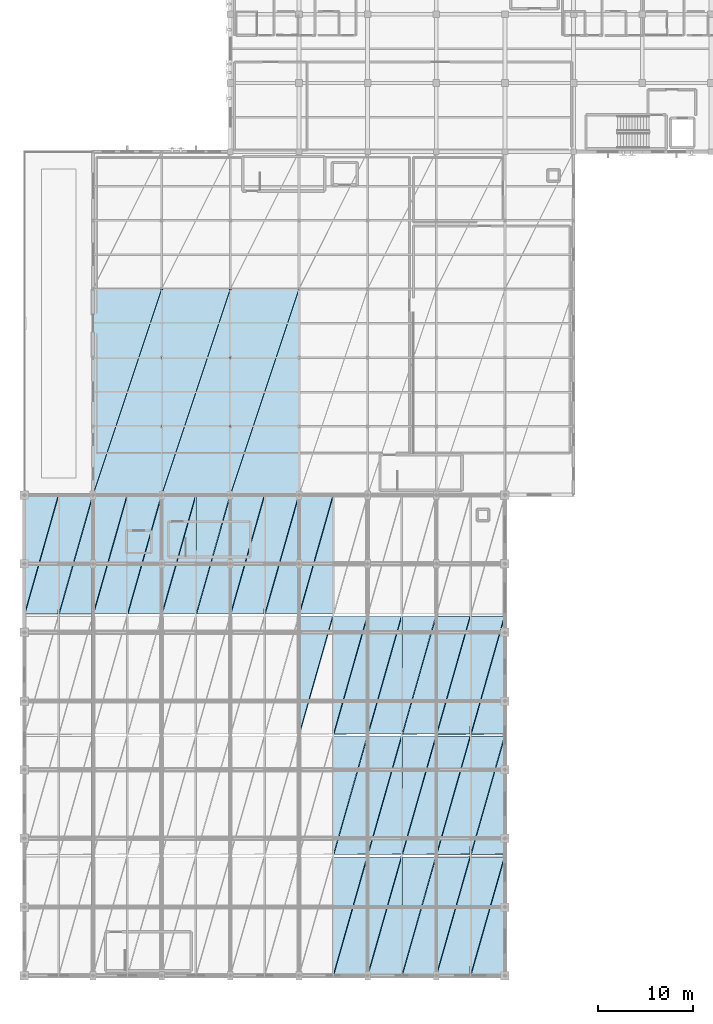
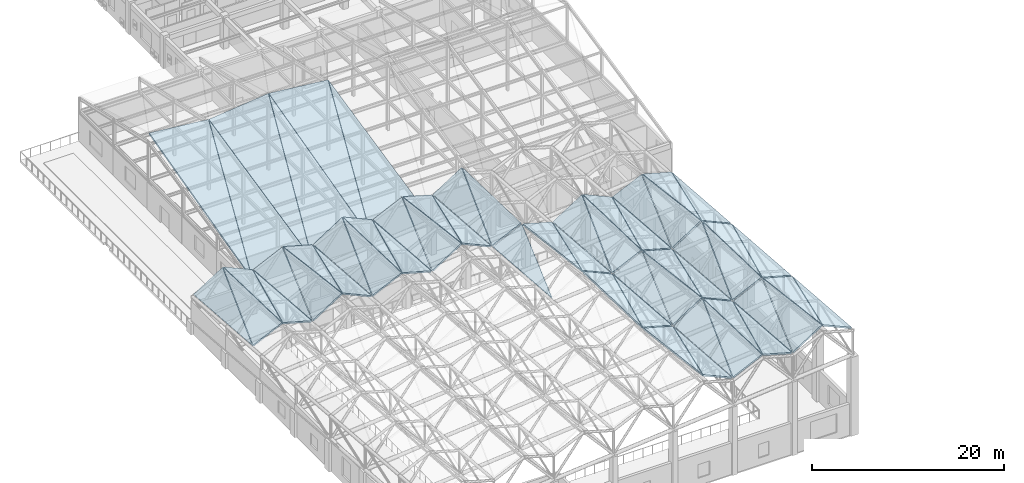
# One storey, part 66 of 113: 55 slabs.
"""IFC4 building model written with IfcOpenShell, lengths in metres."""

from ifc_helpers import new_model, si_unit, direction, frame, origin, place, context, subcontext, project, spatial, polyline, outline, extrude, material, layer, layer_set, type_object, element, save


model = new_model("IFC4")

# Units and contexts
model_context = context("Model", 3, precision=1e-05, world=origin(), true_north=direction((0.0, 1.0)))
body_context = subcontext(model_context, "Body", "Model", "MODEL_VIEW")
ifc_project = project(units=[si_unit("LENGTHUNIT", "METRE"), si_unit("AREAUNIT", "SQUARE_METRE"), si_unit("VOLUMEUNIT", "CUBIC_METRE"), si_unit("PLANEANGLEUNIT", "RADIAN"), si_unit("MASSUNIT", "GRAM", prefix="KILO")], contexts=[model_context])

# Site, building, storey
site_placement = place(None, origin())
site = spatial("IfcSite", under=ifc_project, at=site_placement, CompositionType="ELEMENT")
building_placement = place(site_placement, origin())
building = spatial("IfcBuilding", under=site, at=building_placement, Name="Carrowvane Square Congress Hotel", CompositionType="ELEMENT")
storey_placement = place(building_placement, frame((0.0, 0.0, 15.0)))
storey = spatial("IfcBuildingStorey", under=building, at=storey_placement, Name="L03", CompositionType="ELEMENT", Elevation=15.0)

# Slabs
ifc_material_1 = material(Name="Concrete C35/45", Category="concrete")
ifc_layer_1 = layer(ifc_material_1, 0.179931640625)
ifc_layer_set_1 = layer_set([ifc_layer_1], Name="Concrete C35/45")
slab_type_1 = type_object("IfcSlabType", Name="SLB-ROOF-180", PredefinedType="ROOF", material=ifc_layer_set_1)
slab_1_placement = place(storey_placement, frame((11.671875, 43.325927734375, 5.82958984375), z_axis=(-0.422398728292, 0.028764283915, 0.905953602735), x_axis=(0.90636552621, 0.003488949044, 0.422480011517)))
element("IfcSlab", 1, at=slab_1_placement, inside=storey, type_object=slab_type_1, Name="Congress Hall triangular folded roof facet 13", PredefinedType="ROOF", context=body_context, shape_type="SweptSolid", body=[
    extrude(outline(polyline([(0.0, 0.0), (3.8486473162594836, 0.0), (3.747681160685219, 12.322664812300758), (0.0, 0.0)])), origin(), (0.0, 0.0, -1.0), 0.179931640625),
])
slab_2_placement = place(storey_placement, frame((11.62060546875, 43.343505859375, 5.801513671875), z_axis=(-0.533612892254, 0.066910177212, 0.843077878613), x_axis=(0.272332716068, 0.957363134805, 0.0963883804)))
element("IfcSlab", 2, at=slab_2_placement, inside=storey, type_object=slab_type_1, Name="Congress Hall triangular folded roof facet 14", PredefinedType="ROOF", context=body_context, shape_type="SweptSolid", body=[
    extrude(outline(polyline([(0.0, 0.0), (12.87971717102639, 1.1102230246251565e-16), (11.70418021056957, 3.956805350766654), (0.0, 0.0)])), origin(), (0.0, 0.0, -1.0), 0.179931640625),
])
slab_3_placement = place(storey_placement, frame((15.27197265625, 43.325927734375, 7.4482421875), z_axis=(0.272207431351, 0.076119950617, 0.959223054058), x_axis=(0.961930371784, 0.003702839477, -0.273269553406)))
element("IfcSlab", 3, at=slab_3_placement, inside=storey, type_object=slab_type_1, Name="Congress Hall triangular folded roof facet 15", PredefinedType="ROOF", context=body_context, shape_type="SweptSolid", body=[
    extrude(outline(polyline([(0.0, 0.0), (3.626334454467859, 0.0), (3.9590951175152873, 12.351828195501033), (0.0, 0.0)])), origin(), (0.0, 0.0, -1.0), 0.179931640625),
])
slab_4_placement = place(storey_placement, frame((15.220458984375, 43.343505859375, 7.46484375), z_axis=(0.410439512356, 0.02894877565, 0.911428206216), x_axis=(0.27042851675, 0.950669079624, -0.151976045398)))
element("IfcSlab", 4, at=slab_4_placement, inside=storey, type_object=slab_type_1, Name="Congress Hall triangular folded roof facet 16", PredefinedType="ROOF", context=body_context, shape_type="SweptSolid", body=[
    extrude(outline(polyline([(0.0, 0.0), (12.970408600144543, 0.0), (11.775514245925091, 3.634482519333201), (0.0, 0.0)])), origin(), (0.0, 0.0, -1.0), 0.179931640625),
])
slab_5_placement = place(storey_placement, frame((18.871826171875, 43.325927734375, 6.486572265625), z_axis=(-0.531784764168, 0.10669223498, 0.840131972724), x_axis=(0.845137079861, 0.003253257236, 0.534539738991)))
element("IfcSlab", 5, at=slab_5_placement, inside=storey, type_object=slab_type_1, Name="Congress Hall triangular folded roof facet 29", PredefinedType="ROOF", context=body_context, shape_type="SweptSolid", body=[
    extrude(outline(polyline([(0.0, 0.0), (4.12747391295666, 5.551115123125783e-17), (3.3542382658303724, 12.390443646266414), (0.0, 0.0)])), origin(), (0.0, 0.0, -1.0), 0.179931640625),
])
slab_6_placement = place(storey_placement, frame((18.820556640625, 43.343505859375, 6.455322265625), z_axis=(-0.421464867777, 0.071742351573, 0.904002433747), x_axis=(0.273248365457, 0.960582024485, 0.051161557951)))
element("IfcSlab", 6, at=slab_6_placement, inside=storey, type_object=slab_type_1, Name="Congress Hall triangular folded roof facet 30", PredefinedType="ROOF", context=body_context, shape_type="SweptSolid", body=[
    extrude(outline(polyline([(0.0, 0.0), (12.836557516121248, -3.3306690738754696e-16), (11.78734190374943, 3.702546623412477), (0.0, 0.0)])), origin(), (0.0, 0.0, -1.0), 0.179931640625),
])
slab_7_placement = place(storey_placement, frame((22.471923828125, 43.325927734375, 8.693359375), z_axis=(0.409614225753, 0.072163242073, 0.90940016085), x_axis=(0.911667394726, 0.003509357972, -0.410913915316)))
element("IfcSlab", 7, at=slab_7_placement, inside=storey, type_object=slab_type_1, Name="Congress Hall triangular folded roof facet 31", PredefinedType="ROOF", context=body_context, shape_type="SweptSolid", body=[
    extrude(outline(polyline([(0.0, 0.0), (3.8262652258708685, 1.3877787807814457e-17), (4.292269534272022, 12.347772214597219), (0.0, 0.0)])), origin(), (0.0, 0.0, -1.0), 0.179931640625),
])
slab_8_placement = place(storey_placement, frame((22.42041015625, 43.343505859375, 8.711669921875), z_axis=(0.270964327361, 0.121256537275, 0.95492155985), x_axis=(0.268305149192, 0.943204556628, -0.195901789867)))
element("IfcSlab", 8, at=slab_8_placement, inside=storey, type_object=slab_type_1, Name="Congress Hall triangular folded roof facet 32", PredefinedType="ROOF", context=body_context, shape_type="SweptSolid", body=[
    extrude(outline(polyline([(0.0, 0.0), (13.073056443165006, -2.220446049250313e-16), (11.930305201522705, 3.4414656691724197), (0.0, 0.0)])), origin(), (0.0, 0.0, -1.0), 0.179931640625),
])
slab_9_placement = place(storey_placement, frame((26.072021484375, 43.325927734375, 7.143798828125), z_axis=(-0.422423103739, 0.028754395323, 0.905942551257), x_axis=(0.906354201911, 0.003489149654, 0.422504303544)))
element("IfcSlab", 9, at=slab_9_placement, inside=storey, type_object=slab_type_1, Name="Congress Hall triangular folded roof facet 45", PredefinedType="ROOF", context=body_context, shape_type="SweptSolid", body=[
    extrude(outline(polyline([(0.0, 0.0), (3.8484260369957575, 6.938893903907228e-18), (3.7477772807943444, 12.322660225899554), (0.0, 0.0)])), origin(), (0.0, 0.0, -1.0), 0.179931640625),
])
slab_10_placement = place(storey_placement, frame((26.0205078125, 43.343505859375, 7.115966796875), z_axis=(-0.533612892254, 0.066910177212, 0.843077878613), x_axis=(0.272332716068, 0.957363134805, 0.0963883804)))
element("IfcSlab", 10, at=slab_10_placement, inside=storey, type_object=slab_type_1, Name="Congress Hall triangular folded roof facet 46", PredefinedType="ROOF", context=body_context, shape_type="SweptSolid", body=[
    extrude(outline(polyline([(0.0, 0.0), (12.87971717102639, 1.1102230246251565e-16), (11.70418021056957, 3.956805350766654), (0.0, 0.0)])), origin(), (0.0, 0.0, -1.0), 0.179931640625),
])
slab_11_placement = place(storey_placement, frame((29.671875, 43.325927734375, 8.762451171875), z_axis=(0.272144805005, 0.076140350801, 0.959239204833), x_axis=(0.961948067395, 0.003702907594, -0.273207254863)))
element("IfcSlab", 11, at=slab_11_placement, inside=storey, type_object=slab_type_1, Name="Congress Hall triangular folded roof facet 47", PredefinedType="ROOF", context=body_context, shape_type="SweptSolid", body=[
    extrude(outline(polyline([(0.0, 0.0), (3.62626774587303, -1.3877787807814457e-17), (3.9590350563460115, 12.351847446569725), (0.0, 0.0)])), origin(), (0.0, 0.0, -1.0), 0.179931640625),
])
slab_12_placement = place(storey_placement, frame((29.62060546875, 43.343505859375, 8.779052734375), z_axis=(0.410492827908, 0.028929866933, 0.911404795376), x_axis=(0.27042851675, 0.950669079624, -0.151976045398)))
element("IfcSlab", 12, at=slab_12_placement, inside=storey, type_object=slab_type_1, Name="Congress Hall triangular folded roof facet 48", PredefinedType="ROOF", context=body_context, shape_type="SweptSolid", body=[
    extrude(outline(polyline([(0.0, 0.0), (12.970408600144543, -3.3306690738754696e-16), (11.775477142398383, 3.6345758766278315), (0.0, 0.0)])), origin(), (0.0, 0.0, -1.0), 0.179931640625),
])
slab_13_placement = place(storey_placement, frame((33.27197265625, 43.325927734375, 7.801025390625), z_axis=(-0.531743494383, 0.106679020201, 0.840159772204), x_axis=(0.845163801275, 0.003253360097, 0.534497487985)))
element("IfcSlab", 13, at=slab_13_placement, inside=storey, type_object=slab_type_1, Name="Congress Hall triangular folded roof facet 61", PredefinedType="ROOF", context=body_context, shape_type="SweptSolid", body=[
    extrude(outline(polyline([(0.0, 0.0), (4.127343415248207, -2.7755575615628914e-17), (3.3543056166493694, 12.390425413414137), (0.0, 0.0)])), origin(), (0.0, 0.0, -1.0), 0.179931640625),
])
slab_14_placement = place(storey_placement, frame((33.220458984375, 43.343505859375, 7.76953125), z_axis=(-0.421516894235, 0.071740536967, 0.903978320111), x_axis=(0.273248099524, 0.960581089618, 0.051180527307)))
element("IfcSlab", 14, at=slab_14_placement, inside=storey, type_object=slab_type_1, Name="Congress Hall triangular folded roof facet 62", PredefinedType="ROOF", context=body_context, shape_type="SweptSolid", body=[
    extrude(outline(polyline([(0.0, 0.0), (12.836570009051577, 8.881784197001252e-16), (11.78731201180269, 3.7026417853800484), (0.0, 0.0)])), origin(), (0.0, 0.0, -1.0), 0.179931640625),
])
slab_15_placement = place(storey_placement, frame((36.871826171875, 43.325927734375, 10.007568359375), z_axis=(0.409560661072, 0.072183156665, 0.909422705235), x_axis=(0.911691296801, 0.003509449981, -0.410860880466)))
element("IfcSlab", 15, at=slab_15_placement, inside=storey, type_object=slab_type_1, Name="Congress Hall triangular folded roof facet 63", PredefinedType="ROOF", context=body_context, shape_type="SweptSolid", body=[
    extrude(outline(polyline([(0.0, 0.0), (3.826164911564658, -1.3877787807814457e-17), (4.292218825262692, 12.347789841687437), (0.0, 0.0)])), origin(), (0.0, 0.0, -1.0), 0.179931640625),
])
slab_16_placement = place(storey_placement, frame((36.820556640625, 43.343505859375, 10.02587890625), z_axis=(0.27088462528, 0.121264781026, 0.954943125359), x_axis=(0.268306130741, 0.943208007183, -0.195883831373)))
element("IfcSlab", 16, at=slab_16_placement, inside=storey, type_object=slab_type_1, Name="Congress Hall triangular folded roof facet 64", PredefinedType="ROOF", context=body_context, shape_type="SweptSolid", body=[
    extrude(outline(polyline([(0.0, 0.0), (13.073008617771787, -5.551115123125783e-16), (11.930254029931314, 3.441641680614237), (0.0, 0.0)])), origin(), (0.0, 0.0, -1.0), 0.179931640625),
])
slab_17_placement = place(storey_placement, frame((44.072021484375, 5.52587890625, 13.664794921875), z_axis=(0.409638352805, 0.072154271699, 0.909390004886), x_axis=(0.911656619255, 0.003509562124, -0.410937819556)))
element("IfcSlab", 17, at=slab_17_placement, inside=storey, type_object=slab_type_1, Name="Congress Hall triangular folded roof facet 67", PredefinedType="ROOF", context=body_context, shape_type="SweptSolid", body=[
    extrude(outline(polyline([(0.0, 0.0), (3.8260426521386552, -1.3877787807814457e-17), (4.2922954112753455, 12.34776321933505), (0.0, 0.0)])), origin(), (0.0, 0.0, -1.0), 0.179931640625),
])
slab_18_placement = place(storey_placement, frame((44.0205078125, 5.54345703125, 13.68310546875), z_axis=(0.27094655846, 0.121262482228, 0.954925846787), x_axis=(0.268305149192, 0.943204556628, -0.195901789867)))
element("IfcSlab", 18, at=slab_18_placement, inside=storey, type_object=slab_type_1, Name="Congress Hall triangular folded roof facet 68", PredefinedType="ROOF", context=body_context, shape_type="SweptSolid", body=[
    extrude(outline(polyline([(0.0, 0.0), (13.073056443165006, -3.3306690738754696e-16), (11.93023969733589, 3.4416913633480273), (0.0, 0.0)])), origin(), (0.0, 0.0, -1.0), 0.179931640625),
])
slab_19_placement = place(storey_placement, frame((44.072021484375, 18.1259765625, 12.07666015625), z_axis=(0.272163035949, 0.076115657988, 0.959235992064), x_axis=(0.961943040653, 0.003703147423, -0.273224949882)))
element("IfcSlab", 19, at=slab_19_placement, inside=storey, type_object=slab_type_1, Name="Congress Hall triangular folded roof facet 71", PredefinedType="ROOF", context=body_context, shape_type="SweptSolid", body=[
    extrude(outline(polyline([(0.0, 0.0), (3.6260328958842347, 1.3877787807814457e-17), (3.958988604411846, 12.351823323029821), (0.0, 0.0)])), origin(), (0.0, 0.0, -1.0), 0.179931640625),
])
slab_20_placement = place(storey_placement, frame((44.0205078125, 18.1435546875, 12.09326171875), z_axis=(0.410492827908, 0.028929866933, 0.911404795376), x_axis=(0.27042851675, 0.950669079624, -0.151976045398)))
element("IfcSlab", 20, at=slab_20_placement, inside=storey, type_object=slab_type_1, Name="Congress Hall triangular folded roof facet 72", PredefinedType="ROOF", context=body_context, shape_type="SweptSolid", body=[
    extrude(outline(polyline([(0.0, 0.0), (12.970408600144543, -3.3306690738754696e-16), (11.775477142398383, 3.6345758766278315), (0.0, 0.0)])), origin(), (0.0, 0.0, -1.0), 0.179931640625),
])
slab_21_placement = place(storey_placement, frame((40.42041015625, 30.74365234375, 9.4267578125), z_axis=(-0.421492990827, 0.07175108678, 0.903988628374), x_axis=(0.273248365457, 0.960582024485, 0.051161557951)))
element("IfcSlab", 21, at=slab_21_placement, inside=storey, type_object=slab_type_1, Name="Congress Hall triangular folded roof facet 74", PredefinedType="ROOF", context=body_context, shape_type="SweptSolid", body=[
    extrude(outline(polyline([(0.0, 0.0), (12.836557516121248, 5.551115123125783e-17), (11.787174097680333, 3.7022699461654978), (0.0, 0.0)])), origin(), (0.0, 0.0, -1.0), 0.179931640625),
])
slab_22_placement = place(storey_placement, frame((44.072021484375, 30.725830078125, 11.664794921875), z_axis=(0.409634102712, 0.072155851885, 0.909391793967), x_axis=(0.911656413237, 0.003573371536, -0.410937726692)))
element("IfcSlab", 22, at=slab_22_placement, inside=storey, type_object=slab_type_1, Name="Congress Hall triangular folded roof facet 75", PredefinedType="ROOF", context=body_context, shape_type="SweptSolid", body=[
    extrude(outline(polyline([(0.0, 0.0), (3.8260435167545808, 4.163336342344337e-17), (4.2930812572775885, 12.347490017685), (0.0, 0.0)])), origin(), (0.0, 0.0, -1.0), 0.179931640625),
])
slab_23_placement = place(storey_placement, frame((44.0205078125, 30.74365234375, 11.68310546875), z_axis=(0.270938606281, 0.121265142768, 0.954927765214), x_axis=(0.268305149192, 0.943204556628, -0.195901789867)))
element("IfcSlab", 23, at=slab_23_placement, inside=storey, type_object=slab_type_1, Name="Congress Hall triangular folded roof facet 76", PredefinedType="ROOF", context=body_context, shape_type="SweptSolid", body=[
    extrude(outline(polyline([(0.0, 0.0), (13.073056443165006, -6.661338147750939e-16), (11.930009422785933, 3.4416158531146297), (0.0, 0.0)])), origin(), (0.0, 0.0, -1.0), 0.179931640625),
])
slab_24_placement = place(storey_placement, frame((40.471923828125, 43.325927734375, 8.4580078125), z_axis=(-0.422450818863, 0.028763612696, 0.905929335118), x_axis=(0.906341234582, 0.003488855536, 0.422532122309)))
element("IfcSlab", 24, at=slab_24_placement, inside=storey, type_object=slab_type_1, Name="Congress Hall triangular folded roof facet 77", PredefinedType="ROOF", context=body_context, shape_type="SweptSolid", body=[
    extrude(outline(polyline([(0.0, 0.0), (3.8487504671548116, 6.938893903907228e-18), (3.7477627808212954, 12.32266463586897), (0.0, 0.0)])), origin(), (0.0, 0.0, -1.0), 0.179931640625),
])
slab_25_placement = place(storey_placement, frame((40.42041015625, 43.343505859375, 8.43017578125), z_axis=(-0.533639255483, 0.066919430516, 0.843060457397), x_axis=(0.272332716068, 0.957363134805, 0.0963883804)))
element("IfcSlab", 25, at=slab_25_placement, inside=storey, type_object=slab_type_1, Name="Congress Hall triangular folded roof facet 78", PredefinedType="ROOF", context=body_context, shape_type="SweptSolid", body=[
    extrude(outline(polyline([(0.0, 0.0), (12.87971717102639, -3.3306690738754696e-16), (11.704246698049078, 3.956609873830084), (0.0, 0.0)])), origin(), (0.0, 0.0, -1.0), 0.179931640625),
])
slab_26_placement = place(storey_placement, frame((47.671875, 5.52587890625, 12.115234375), z_axis=(-0.422398889613, 0.028746342391, 0.90595409699), x_axis=(0.90636552621, 0.003488949044, 0.422480011517)))
element("IfcSlab", 26, at=slab_26_placement, inside=storey, type_object=slab_type_1, Name="Congress Hall triangular folded roof facet 81", PredefinedType="ROOF", context=body_context, shape_type="SweptSolid", body=[
    extrude(outline(polyline([(0.0, 0.0), (3.848647316259483, -1.3877787807814457e-17), (3.7477843052192807, 12.322658089509625), (0.0, 0.0)])), origin(), (0.0, 0.0, -1.0), 0.179931640625),
])
slab_27_placement = place(storey_placement, frame((47.62060546875, 5.54345703125, 12.08740234375), z_axis=(-0.533612892254, 0.066910177212, 0.843077878613), x_axis=(0.272332716068, 0.957363134805, 0.0963883804)))
element("IfcSlab", 27, at=slab_27_placement, inside=storey, type_object=slab_type_1, Name="Congress Hall triangular folded roof facet 82", PredefinedType="ROOF", context=body_context, shape_type="SweptSolid", body=[
    extrude(outline(polyline([(0.0, 0.0), (12.87971717102639, 1.1102230246251565e-16), (11.70418021056957, 3.956805350766654), (0.0, 0.0)])), origin(), (0.0, 0.0, -1.0), 0.179931640625),
])
slab_28_placement = place(storey_placement, frame((51.27197265625, 5.52587890625, 13.73388671875), z_axis=(0.272144805005, 0.076140350801, 0.959239204833), x_axis=(0.961948067395, 0.003702907594, -0.273207254863)))
element("IfcSlab", 28, at=slab_28_placement, inside=storey, type_object=slab_type_1, Name="Congress Hall triangular folded roof facet 83", PredefinedType="ROOF", context=body_context, shape_type="SweptSolid", body=[
    extrude(outline(polyline([(0.0, 0.0), (3.62626774587303, -1.3877787807814457e-17), (3.9590350563460115, 12.351847446569725), (0.0, 0.0)])), origin(), (0.0, 0.0, -1.0), 0.179931640625),
])
slab_29_placement = place(storey_placement, frame((51.220458984375, 5.54345703125, 13.75048828125), z_axis=(0.410492827908, 0.028929866933, 0.911404795376), x_axis=(0.27042851675, 0.950669079624, -0.151976045398)))
element("IfcSlab", 29, at=slab_29_placement, inside=storey, type_object=slab_type_1, Name="Congress Hall triangular folded roof facet 84", PredefinedType="ROOF", context=body_context, shape_type="SweptSolid", body=[
    extrude(outline(polyline([(0.0, 0.0), (12.970408600144543, -3.3306690738754696e-16), (11.775477142398383, 3.6345758766278315), (0.0, 0.0)])), origin(), (0.0, 0.0, -1.0), 0.179931640625),
])
slab_30_placement = place(storey_placement, frame((47.671875, 18.1259765625, 11.115234375), z_axis=(-0.531743494383, 0.106679020201, 0.840159772204), x_axis=(0.845163801275, 0.003253360097, 0.534497487985)))
element("IfcSlab", 30, at=slab_30_placement, inside=storey, type_object=slab_type_1, Name="Congress Hall triangular folded roof facet 85", PredefinedType="ROOF", context=body_context, shape_type="SweptSolid", body=[
    extrude(outline(polyline([(0.0, 0.0), (4.127343415248207, -2.7755575615628914e-17), (3.3543056166493694, 12.390425413414137), (0.0, 0.0)])), origin(), (0.0, 0.0, -1.0), 0.179931640625),
])
slab_31_placement = place(storey_placement, frame((47.62060546875, 18.1435546875, 11.083984375), z_axis=(-0.421516409048, 0.071758360682, 0.903977131666), x_axis=(0.273248365457, 0.960582024485, 0.051161557951)))
element("IfcSlab", 31, at=slab_31_placement, inside=storey, type_object=slab_type_1, Name="Congress Hall triangular folded roof facet 86", PredefinedType="ROOF", context=body_context, shape_type="SweptSolid", body=[
    extrude(outline(polyline([(0.0, 0.0), (12.836557516121248, 3.885780586188048e-16), (11.787329413134696, 3.702650256712931), (0.0, 0.0)])), origin(), (0.0, 0.0, -1.0), 0.179931640625),
])
slab_32_placement = place(storey_placement, frame((51.27197265625, 18.1259765625, 13.32177734375), z_axis=(0.409560661072, 0.072183156665, 0.909422705235), x_axis=(0.911691296801, 0.003509449981, -0.410860880466)))
element("IfcSlab", 32, at=slab_32_placement, inside=storey, type_object=slab_type_1, Name="Congress Hall triangular folded roof facet 87", PredefinedType="ROOF", context=body_context, shape_type="SweptSolid", body=[
    extrude(outline(polyline([(0.0, 0.0), (3.826164911564658, -1.3877787807814457e-17), (4.292218825262692, 12.347789841687437), (0.0, 0.0)])), origin(), (0.0, 0.0, -1.0), 0.179931640625),
])
slab_33_placement = place(storey_placement, frame((51.220458984375, 18.1435546875, 13.34033203125), z_axis=(0.27094655846, 0.121262482228, 0.954925846787), x_axis=(0.268305149192, 0.943204556628, -0.195901789867)))
element("IfcSlab", 33, at=slab_33_placement, inside=storey, type_object=slab_type_1, Name="Congress Hall triangular folded roof facet 88", PredefinedType="ROOF", context=body_context, shape_type="SweptSolid", body=[
    extrude(outline(polyline([(0.0, 0.0), (13.073056443165006, -3.3306690738754696e-16), (11.93023969733589, 3.4416913633480273), (0.0, 0.0)])), origin(), (0.0, 0.0, -1.0), 0.179931640625),
])
slab_34_placement = place(storey_placement, frame((47.671875, 30.725830078125, 10.115234375), z_axis=(-0.422400537452, 0.028746890413, 0.905953311298), x_axis=(0.906365323787, 0.003552383688, 0.422479917163)))
element("IfcSlab", 34, at=slab_34_placement, inside=storey, type_object=slab_type_1, Name="Congress Hall triangular folded roof facet 89", PredefinedType="ROOF", context=body_context, shape_type="SweptSolid", body=[
    extrude(outline(polyline([(0.0, 0.0), (3.8486481757971713, -6.938893903907228e-18), (3.7485656629038004, 12.322420422153423), (0.0, 0.0)])), origin(), (0.0, 0.0, -1.0), 0.179931640625),
])
slab_35_placement = place(storey_placement, frame((47.62060546875, 30.74365234375, 10.08740234375), z_axis=(-0.533616197888, 0.066911337459, 0.843075694272), x_axis=(0.272332716068, 0.957363134805, 0.0963883804)))
element("IfcSlab", 35, at=slab_35_placement, inside=storey, type_object=slab_type_1, Name="Congress Hall triangular folded roof facet 90", PredefinedType="ROOF", context=body_context, shape_type="SweptSolid", body=[
    extrude(outline(polyline([(0.0, 0.0), (12.87971717102639, -4.440892098500626e-16), (11.703946479335487, 3.9567367395281603), (0.0, 0.0)])), origin(), (0.0, 0.0, -1.0), 0.179931640625),
])
slab_36_placement = place(storey_placement, frame((51.27197265625, 30.725830078125, 11.73388671875), z_axis=(0.272139833748, 0.076141970128, 0.959240486673), x_axis=(0.961947825401, 0.003770232238, -0.273207186134)))
element("IfcSlab", 36, at=slab_36_placement, inside=storey, type_object=slab_type_1, Name="Congress Hall triangular folded roof facet 91", PredefinedType="ROOF", context=body_context, shape_type="SweptSolid", body=[
    extrude(outline(polyline([(0.0, 0.0), (3.6262686581215453, 0.0), (3.959864222866379, 12.351581650022421), (0.0, 0.0)])), origin(), (0.0, 0.0, -1.0), 0.179931640625),
])
slab_37_placement = place(storey_placement, frame((51.220458984375, 30.74365234375, 11.75048828125), z_axis=(0.410491135595, 0.028930467133, 0.911405538533), x_axis=(0.27042851675, 0.950669079624, -0.151976045398)))
element("IfcSlab", 37, at=slab_37_placement, inside=storey, type_object=slab_type_1, Name="Congress Hall triangular folded roof facet 92", PredefinedType="ROOF", context=body_context, shape_type="SweptSolid", body=[
    extrude(outline(polyline([(0.0, 0.0), (12.970408600144543, -9.992007221626409e-16), (11.775245045455117, 3.6345004726006063), (0.0, 0.0)])), origin(), (0.0, 0.0, -1.0), 0.179931640625),
])
slab_38_placement = place(storey_placement, frame((54.871826171875, 5.52587890625, 12.7724609375), z_axis=(-0.531743494383, 0.106679020201, 0.840159772204), x_axis=(0.845163801275, 0.003253360097, 0.534497487985)))
element("IfcSlab", 38, at=slab_38_placement, inside=storey, type_object=slab_type_1, Name="Congress Hall triangular folded roof facet 97", PredefinedType="ROOF", context=body_context, shape_type="SweptSolid", body=[
    extrude(outline(polyline([(0.0, 0.0), (4.127343415248207, -2.7755575615628914e-17), (3.3543056166493694, 12.390425413414137), (0.0, 0.0)])), origin(), (0.0, 0.0, -1.0), 0.179931640625),
])
slab_39_placement = place(storey_placement, frame((54.820556640625, 5.54345703125, 12.740966796875), z_axis=(-0.421516894235, 0.071740536967, 0.903978320111), x_axis=(0.273248099524, 0.960581089618, 0.051180527307)))
element("IfcSlab", 39, at=slab_39_placement, inside=storey, type_object=slab_type_1, Name="Congress Hall triangular folded roof facet 98", PredefinedType="ROOF", context=body_context, shape_type="SweptSolid", body=[
    extrude(outline(polyline([(0.0, 0.0), (12.836570009051577, 8.881784197001252e-16), (11.78731201180269, 3.7026417853800484), (0.0, 0.0)])), origin(), (0.0, 0.0, -1.0), 0.179931640625),
])
slab_40_placement = place(storey_placement, frame((58.471923828125, 5.52587890625, 14.97900390625), z_axis=(0.409560661072, 0.072183156665, 0.909422705235), x_axis=(0.911691296801, 0.003509449981, -0.410860880466)))
element("IfcSlab", 40, at=slab_40_placement, inside=storey, type_object=slab_type_1, Name="Congress Hall triangular folded roof facet 99", PredefinedType="ROOF", context=body_context, shape_type="SweptSolid", body=[
    extrude(outline(polyline([(0.0, 0.0), (3.826164911564658, -1.3877787807814457e-17), (4.292218825262692, 12.347789841687437), (0.0, 0.0)])), origin(), (0.0, 0.0, -1.0), 0.179931640625),
])
slab_41_placement = place(storey_placement, frame((58.42041015625, 5.54345703125, 14.997314453125), z_axis=(0.270964327361, 0.121256537275, 0.95492155985), x_axis=(0.268305149192, 0.943204556628, -0.195901789867)))
element("IfcSlab", 41, at=slab_41_placement, inside=storey, type_object=slab_type_1, Name="Congress Hall triangular folded roof facet 100", PredefinedType="ROOF", context=body_context, shape_type="SweptSolid", body=[
    extrude(outline(polyline([(0.0, 0.0), (13.073056443165006, -2.220446049250313e-16), (11.930305201522705, 3.4414656691724197), (0.0, 0.0)])), origin(), (0.0, 0.0, -1.0), 0.179931640625),
])
slab_42_placement = place(storey_placement, frame((54.871826171875, 18.1259765625, 11.7724609375), z_axis=(-0.422398728292, 0.028764283915, 0.905953602735), x_axis=(0.90636552621, 0.003488949044, 0.422480011517)))
element("IfcSlab", 42, at=slab_42_placement, inside=storey, type_object=slab_type_1, Name="Congress Hall triangular folded roof facet 101", PredefinedType="ROOF", context=body_context, shape_type="SweptSolid", body=[
    extrude(outline(polyline([(0.0, 0.0), (3.8486473162594836, 0.0), (3.747681160685219, 12.322664812300758), (0.0, 0.0)])), origin(), (0.0, 0.0, -1.0), 0.179931640625),
])
slab_43_placement = place(storey_placement, frame((54.820556640625, 18.1435546875, 11.744384765625), z_axis=(-0.533612892254, 0.066910177212, 0.843077878613), x_axis=(0.272332716068, 0.957363134805, 0.0963883804)))
element("IfcSlab", 43, at=slab_43_placement, inside=storey, type_object=slab_type_1, Name="Congress Hall triangular folded roof facet 102", PredefinedType="ROOF", context=body_context, shape_type="SweptSolid", body=[
    extrude(outline(polyline([(0.0, 0.0), (12.87971717102639, 1.1102230246251565e-16), (11.70418021056957, 3.956805350766654), (0.0, 0.0)])), origin(), (0.0, 0.0, -1.0), 0.179931640625),
])
slab_44_placement = place(storey_placement, frame((58.471923828125, 18.1259765625, 13.39111328125), z_axis=(0.272207431351, 0.076119950617, 0.959223054058), x_axis=(0.961930371784, 0.003702839477, -0.273269553406)))
element("IfcSlab", 44, at=slab_44_placement, inside=storey, type_object=slab_type_1, Name="Congress Hall triangular folded roof facet 103", PredefinedType="ROOF", context=body_context, shape_type="SweptSolid", body=[
    extrude(outline(polyline([(0.0, 0.0), (3.626334454467859, 0.0), (3.9590951175152873, 12.351828195501033), (0.0, 0.0)])), origin(), (0.0, 0.0, -1.0), 0.179931640625),
])
slab_45_placement = place(storey_placement, frame((58.42041015625, 18.1435546875, 13.40771484375), z_axis=(0.410516568919, 0.028939400964, 0.911393799471), x_axis=(0.270427743109, 0.950666359956, -0.151994433466)))
element("IfcSlab", 45, at=slab_45_placement, inside=storey, type_object=slab_type_1, Name="Congress Hall triangular folded roof facet 104", PredefinedType="ROOF", context=body_context, shape_type="SweptSolid", body=[
    extrude(outline(polyline([(0.0, 0.0), (12.970445705915893, 1.1102230246251565e-16), (11.775554108302392, 3.634354668837996), (0.0, 0.0)])), origin(), (0.0, 0.0, -1.0), 0.179931640625),
])
slab_46_placement = place(storey_placement, frame((54.871826171875, 30.725830078125, 10.7724609375), z_axis=(-0.531748734935, 0.106680698241, 0.840156242325), x_axis=(0.845163637151, 0.003312511456, 0.534497384189)))
element("IfcSlab", 46, at=slab_46_placement, inside=storey, type_object=slab_type_1, Name="Congress Hall triangular folded roof facet 105", PredefinedType="ROOF", context=body_context, shape_type="SweptSolid", body=[
    extrude(outline(polyline([(0.0, 0.0), (4.1273442167462004, 2.7755575615628914e-17), (3.355034342813667, 12.390228111451593), (0.0, 0.0)])), origin(), (0.0, 0.0, -1.0), 0.179931640625),
])
slab_47_placement = place(storey_placement, frame((54.820556640625, 30.74365234375, 10.740966796875), z_axis=(-0.421520984505, 0.071741807483, 0.903976312013), x_axis=(0.273248099524, 0.960581089618, 0.051180527307)))
element("IfcSlab", 47, at=slab_47_placement, inside=storey, type_object=slab_type_1, Name="Congress Hall triangular folded roof facet 106", PredefinedType="ROOF", context=body_context, shape_type="SweptSolid", body=[
    extrude(outline(polyline([(0.0, 0.0), (12.836570009051577, 6.661338147750939e-16), (11.787077494935108, 3.702576213201041), (0.0, 0.0)])), origin(), (0.0, 0.0, -1.0), 0.179931640625),
])
slab_48_placement = place(storey_placement, frame((58.471923828125, 30.725830078125, 12.97900390625), z_axis=(0.409556409244, 0.072184737399, 0.909424494576), x_axis=(0.911691090789, 0.003573257355, -0.410860787625)))
element("IfcSlab", 48, at=slab_48_placement, inside=storey, type_object=slab_type_1, Name="Congress Hall triangular folded roof facet 107", PredefinedType="ROOF", context=body_context, shape_type="SweptSolid", body=[
    extrude(outline(polyline([(0.0, 0.0), (3.826165776152956, -2.7755575615628914e-17), (4.293004646202703, 12.347516654214356), (0.0, 0.0)])), origin(), (0.0, 0.0, -1.0), 0.179931640625),
])
slab_49_placement = place(storey_placement, frame((58.42041015625, 30.74365234375, 12.997314453125), z_axis=(0.270956375094, 0.12125919788, 0.954923478466), x_axis=(0.268305149192, 0.943204556628, -0.195901789867)))
element("IfcSlab", 49, at=slab_49_placement, inside=storey, type_object=slab_type_1, Name="Congress Hall triangular folded roof facet 108", PredefinedType="ROOF", context=body_context, shape_type="SweptSolid", body=[
    extrude(outline(polyline([(0.0, 0.0), (13.073056443165006, 0.0), (11.930074926972747, 3.4413901583699875), (0.0, 0.0)])), origin(), (0.0, 0.0, -1.0), 0.179931640625),
])
ifc_material_2 = material(Name="Concrete C35/45", Category="concrete")
ifc_layer_2 = layer(ifc_material_2, 0.199951171875)
ifc_layer_set_2 = layer_set([ifc_layer_2], Name="Concrete C35/45")
slab_type_2 = type_object("IfcSlabType", Name="SLB-ROOF-200", PredefinedType="ROOF", material=ifc_layer_set_2)
slab_50_placement = place(storey_placement, frame((18.82763671875, 55.841552734375, 4.209228515625), z_axis=(8.930999e-06, -0.214396975976, 0.976746608191), x_axis=(0.999999650277, 0.000818749074, 0.000170572724)))
element("IfcSlab", 50, at=slab_50_placement, inside=storey, type_object=slab_type_2, Name="Thermal Spa folded triangle roof 1", PredefinedType="ROOF", context=body_context, shape_type="SweptSolid", body=[
    extrude(outline(polyline([(0.0, 0.0), (7.156496643413694, -9.215718466126788e-19), (7.182475802060938, 22.015085520712788), (0.0, 0.0)])), origin(), (0.0, 0.0, -1.0), 0.199951171875),
])
slab_51_placement = place(storey_placement, frame((18.80810546875, 55.849365234375, 4.211669921875), z_axis=(0.10701661489, -0.247069126312, 0.963070241966), x_axis=(0.30936567334, 0.928824467929, 0.203906811889)))
element("IfcSlab", 51, at=slab_51_placement, inside=storey, type_object=slab_type_2, Name="Thermal Spa folded triangle roof 2", PredefinedType="ROOF", context=body_context, shape_type="SweptSolid", body=[
    extrude(outline(polyline([(0.0, 0.0), (23.1572637735043, 7.771561172376096e-16), (21.09976441834831, 6.899899010024989), (0.0, 0.0)])), origin(), (0.0, 0.0, -1.0), 0.199951171875),
])
slab_52_placement = place(storey_placement, frame((26.02783203125, 55.841552734375, 4.210693359375), z_axis=(5.184385e-06, -0.24849044839, 0.968634346403), x_axis=(0.999999643852, 0.000818777001, 0.00020469425)))
element("IfcSlab", 52, at=slab_52_placement, inside=storey, type_object=slab_type_2, Name="Thermal Spa folded triangle roof 5", PredefinedType="ROOF", context=body_context, shape_type="SweptSolid", body=[
    extrude(outline(polyline([(0.0, 0.0), (7.156252548683745, 3.2526065174565133e-19), (7.182800516726225, 22.19946035670652), (0.0, 0.0)])), origin(), (0.0, 0.0, -1.0), 0.199951171875),
])
slab_53_placement = place(storey_placement, frame((26.00830078125, 55.849365234375, 4.211669921875), z_axis=(-0.10788494204, -0.213151467153, 0.971044433243), x_axis=(0.307042859065, 0.921850563199, 0.236466111369)))
element("IfcSlab", 53, at=slab_53_placement, inside=storey, type_object=slab_type_2, Name="Thermal Spa folded triangle roof 6", PredefinedType="ROOF", context=body_context, shape_type="SweptSolid", body=[
    extrude(outline(polyline([(0.0, 0.0), (23.33245111710682, 5.273559366969494e-16), (20.941380756611924, 6.792087827320812), (0.0, 0.0)])), origin(), (0.0, 0.0, -1.0), 0.199951171875),
])
slab_54_placement = place(storey_placement, frame((33.227783203125, 55.841552734375, 4.209228515625), z_axis=(8.930999e-06, -0.214396975976, 0.976746608191), x_axis=(0.999999650277, 0.000818749074, 0.000170572724)))
element("IfcSlab", 54, at=slab_54_placement, inside=storey, type_object=slab_type_2, Name="Thermal Spa folded triangle roof 9", PredefinedType="ROOF", context=body_context, shape_type="SweptSolid", body=[
    extrude(outline(polyline([(0.0, 0.0), (7.156496643413694, -9.215718466126788e-19), (7.182475802060938, 22.015085520712788), (0.0, 0.0)])), origin(), (0.0, 0.0, -1.0), 0.199951171875),
])
slab_55_placement = place(storey_placement, frame((33.208251953125, 55.849365234375, 4.211669921875), z_axis=(0.10701303705, -0.247068080793, 0.96307090775), x_axis=(0.30936567334, 0.928824467929, 0.203906811889)))
element("IfcSlab", 55, at=slab_55_placement, inside=storey, type_object=slab_type_2, Name="Thermal Spa folded triangle roof 10", PredefinedType="ROOF", context=body_context, shape_type="SweptSolid", body=[
    extrude(outline(polyline([(0.0, 0.0), (23.1572637735043, 4.440892098500626e-16), (21.09968888961947, 6.900129699108375), (0.0, 0.0)])), origin(), (0.0, 0.0, -1.0), 0.199951171875),
])

save(model, "model.ifc")
